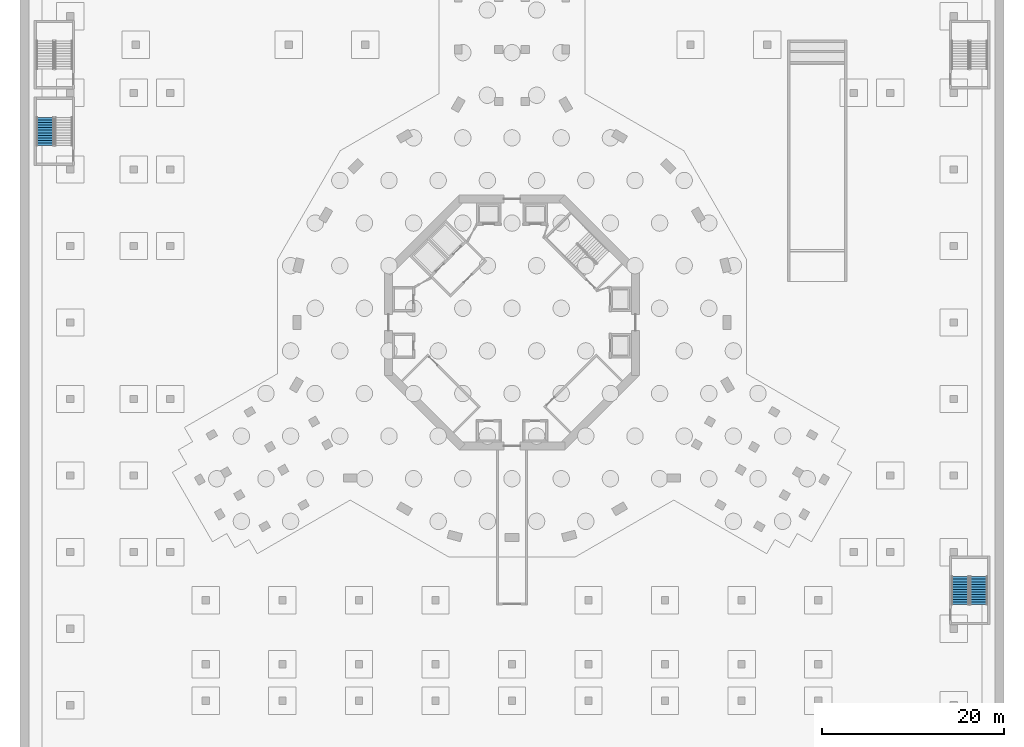
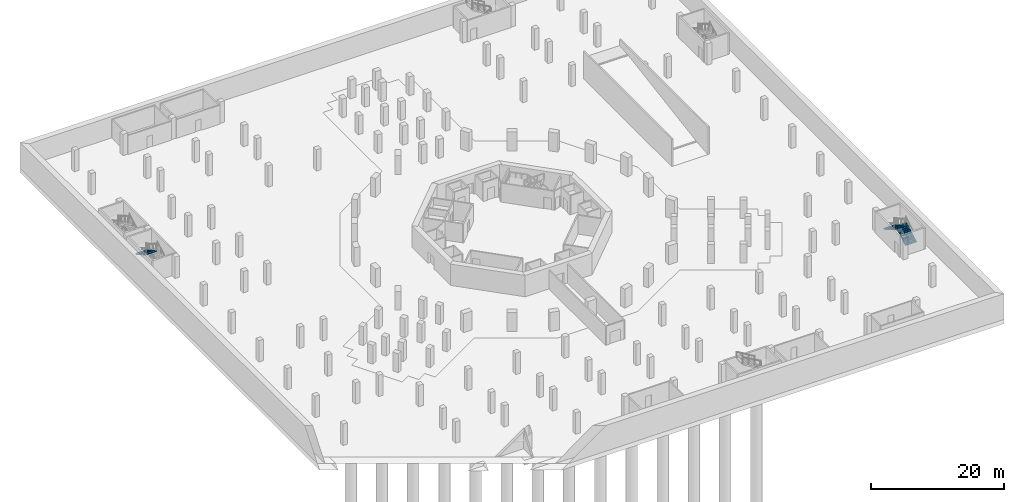
# One storey, part 16 of 27: 3 stair flights, 2 elements without a shape of their own.
"""IFC4 building model written with IfcOpenShell, lengths in metres."""

from ifc_helpers import new_model, si_unit, direction, frame, origin, place, context, subcontext, project, spatial, triangles, material, type_object, element, aggregate, save


model = new_model("IFC4")

# Units and contexts
model_context = context("Model", 3, precision=1e-05, world=origin(), true_north=direction((0.0, 1.0)))
body_context = subcontext(model_context, "Body", "Model", "MODEL_VIEW")
ifc_project = project(units=[si_unit("LENGTHUNIT", "METRE"), si_unit("AREAUNIT", "SQUARE_METRE"), si_unit("VOLUMEUNIT", "CUBIC_METRE"), si_unit("PLANEANGLEUNIT", "RADIAN"), si_unit("MASSUNIT", "GRAM", prefix="KILO")], contexts=[model_context])

# Site, building, storey
site_placement = place(None, origin())
site = spatial("IfcSite", under=ifc_project, at=site_placement, CompositionType="ELEMENT")
building_placement = place(site_placement, origin())
building = spatial("IfcBuilding", under=site, at=building_placement, Name="Verdalira Terraces Hotel", CompositionType="ELEMENT")
storey_placement = place(building_placement, frame((0.0, 0.0, -11.699951)))
storey = spatial("IfcBuildingStorey", under=building, at=storey_placement, Name="B3", CompositionType="ELEMENT", Elevation=-11.699951171875)

# Stair, stair flights
ifc_material_1 = material(Name="Concrete C40", Category="concrete")
stair_type = type_object("IfcStairType", Name="Car park stair 24 risers", PredefinedType="HALF_TURN_STAIR", material=ifc_material_1)
stair_1_placement = place(storey_placement, origin())
stair_1 = element("IfcStair", 1, at=stair_1_placement, inside=storey, type_object=stair_type, Name="B3 Exit stair Basement stair 2", PredefinedType="HALF_TURN_STAIR")
ifc_material_2 = material(Name="Concrete C40", Category="concrete")
stair_flight_type = type_object("IfcStairFlightType", Name="Car park stair flight 24 risers", PredefinedType="STRAIGHT", material=ifc_material_2)
stair_flight_1_placement = place(storey_placement, frame((51.237549, -30.975098, 0.0), z_axis=(0.0, 0.0, 1.0), x_axis=(0.0, 1.0, 0.0)))
stair_flight_1 = element("IfcStairFlight", 2, at=stair_flight_1_placement, type_object=stair_flight_type, Name="Basement stair 2 flight 1", NumberOfRisers=12, NumberOfTreads=11, PredefinedType="STRAIGHT", RiserHeight=0.1625, TreadLength=0.28, context=body_context, shape_type="Tessellation", body=[
    triangles([(0.0, 0.962524, 0.0), (0.298584, 0.962524, 0.0), (3.080078, 0.962524, 1.614258), (0.0, -0.962524, 0.0), (0.298584, -0.962524, 0.0), (3.080078, -0.962524, 1.614258), (3.080078, 0.962524, 1.787598), (2.800049, 0.962524, 1.787598), (3.080078, -0.962524, 1.787598), (2.800049, -0.962524, 1.787598), (2.800049, 0.962524, 1.625), (2.800049, -0.962524, 1.625), (2.52002, 0.962524, 1.625), (2.52002, -0.962524, 1.625), (2.52002, 0.962524, 1.462402), (2.52002, -0.962524, 1.462402), (2.23999, 0.962524, 1.462402), (2.23999, 0.962524, 1.300049), (2.23999, -0.962524, 1.462402), (2.23999, -0.962524, 1.300049), (1.959961, 0.962524, 1.300049), (1.959961, 0.962524, 1.137451), (1.959961, -0.962524, 1.300049), (1.959961, -0.962524, 1.137451), (1.679932, 0.962524, 1.137451), (1.679932, 0.962524, 0.975098), (1.679932, -0.962524, 1.137451), (1.679932, -0.962524, 0.975098), (1.399902, 0.962524, 0.975098), (1.399902, 0.962524, 0.8125), (1.399902, -0.962524, 0.975098), (1.399902, -0.962524, 0.8125), (1.120117, 0.962524, 0.8125), (1.120117, 0.962524, 0.649902), (1.120117, -0.962524, 0.8125), (1.120117, -0.962524, 0.649902), (0.840088, 0.962524, 0.649902), (0.840088, 0.962524, 0.487549), (0.840088, -0.962524, 0.649902), (0.840088, -0.962524, 0.487549), (0.560059, 0.962524, 0.487549), (0.560059, 0.962524, 0.324951), (0.560059, -0.962524, 0.487549), (0.560059, -0.962524, 0.324951), (0.280029, 0.962524, 0.324951), (0.280029, 0.962524, 0.162598), (0.280029, -0.962524, 0.324951), (0.280029, -0.962524, 0.162598), (0.0, 0.962524, 0.162598), (0.0, -0.962524, 0.162598), (0.0, -0.902367, 0.0), (0.0, -0.902367, 0.162598), (0.0, -0.842209, 0.0), (0.0, -0.842209, 0.162598), (0.0, -0.782051, 0.0), (0.0, -0.782051, 0.162598), (0.0, -0.721893, 0.0), (0.0, -0.721893, 0.162598), (0.0, -0.661736, 0.0), (0.0, -0.661736, 0.162598), (0.0, -0.601578, 0.0), (0.0, -0.601578, 0.162598), (0.0, -0.54142, 0.0), (0.0, -0.54142, 0.162598), (0.0, -0.481262, 0.0), (0.0, -0.481262, 0.162598), (0.0, -0.421104, 0.0), (0.0, -0.421104, 0.162598), (0.0, -0.360947, 0.0), (0.0, -0.360947, 0.162598), (0.0, -0.300789, 0.0), (0.0, -0.300789, 0.162598), (0.0, -0.240631, 0.0), (0.0, -0.240631, 0.162598), (0.0, -0.180473, 0.0), (0.0, -0.180473, 0.162598), (0.0, -0.120316, 0.0), (0.0, -0.120316, 0.162598), (0.0, -0.060158, 0.0), (0.0, -0.060158, 0.162598), (0.0, 0.0, 0.0), (0.0, 0.0, 0.162598), (0.0, 0.060158, 0.0), (0.0, 0.060158, 0.162598), (0.0, 0.120316, 0.0), (0.0, 0.120316, 0.162598), (0.0, 0.180473, 0.0), (0.0, 0.180473, 0.162598), (0.0, 0.240631, 0.0), (0.0, 0.240631, 0.162598), (0.0, 0.300789, 0.0), (0.0, 0.300789, 0.162598), (0.0, 0.360947, 0.0), (0.0, 0.360947, 0.162598), (0.0, 0.421104, 0.0), (0.0, 0.421104, 0.162598), (0.0, 0.481262, 0.0), (0.0, 0.481262, 0.162598), (0.0, 0.54142, 0.0), (0.0, 0.54142, 0.162598), (0.0, 0.601578, 0.0), (0.0, 0.601578, 0.162598), (0.0, 0.661736, 0.0), (0.0, 0.661736, 0.162598), (0.0, 0.721893, 0.0), (0.0, 0.721893, 0.162598), (0.0, 0.782051, 0.0), (0.0, 0.782051, 0.162598), (0.0, 0.842209, 0.0), (0.0, 0.842209, 0.162598), (0.0, 0.902367, 0.0), (0.0, 0.902367, 0.162598), (3.080078, -0.902367, 1.787598), (3.080078, -0.842209, 1.787598), (3.080078, -0.782051, 1.787598), (3.080078, -0.721893, 1.787598), (3.080078, -0.661736, 1.787598), (3.080078, -0.601578, 1.787598), (3.080078, -0.54142, 1.787598), (3.080078, -0.481262, 1.787598), (3.080078, -0.421104, 1.787598), (3.080078, -0.360947, 1.787598), (3.080078, -0.300789, 1.787598), (3.080078, -0.240631, 1.787598), (3.080078, -0.180473, 1.787598), (3.080078, -0.120316, 1.787598), (3.080078, -0.060158, 1.787598), (3.080078, 0.0, 1.787598), (3.080078, 0.060158, 1.787598), (3.080078, 0.120316, 1.787598), (3.080078, 0.180473, 1.787598), (3.080078, 0.240631, 1.787598), (3.080078, 0.300789, 1.787598), (3.080078, 0.360947, 1.787598), (3.080078, 0.421104, 1.787598), (3.080078, 0.481262, 1.787598), (3.080078, 0.54142, 1.787598), (3.080078, 0.601578, 1.787598), (3.080078, 0.661736, 1.787598), (3.080078, 0.721893, 1.787598), (3.080078, 0.782051, 1.787598), (3.080078, 0.842209, 1.787598), (3.080078, 0.902367, 1.787598), (3.080078, -0.902367, 1.614258), (3.080078, -0.842209, 1.614258), (3.080078, -0.782051, 1.614258), (3.080078, -0.721893, 1.614258), (3.080078, -0.661736, 1.614258), (3.080078, -0.601578, 1.614258), (3.080078, -0.54142, 1.614258), (3.080078, -0.481262, 1.614258), (3.080078, -0.421104, 1.614258), (3.080078, -0.360947, 1.614258), (3.080078, -0.300789, 1.614258), (3.080078, -0.240631, 1.614258), (3.080078, -0.180473, 1.614258), (3.080078, -0.120316, 1.614258), (3.080078, -0.060158, 1.614258), (3.080078, 0.0, 1.614258), (3.080078, 0.060158, 1.614258), (3.080078, 0.120316, 1.614258), (3.080078, 0.180473, 1.614258), (3.080078, 0.240631, 1.614258), (3.080078, 0.300789, 1.614258), (3.080078, 0.360947, 1.614258), (3.080078, 0.421104, 1.614258), (3.080078, 0.481262, 1.614258), (3.080078, 0.54142, 1.614258), (3.080078, 0.601578, 1.614258), (3.080078, 0.661736, 1.614258), (3.080078, 0.721893, 1.614258), (3.080078, 0.782051, 1.614258), (3.080078, 0.842209, 1.614258), (3.080078, 0.902367, 1.614258)], [[1, 3, 2], [4, 5, 6], [3, 8, 7], [6, 9, 10], [3, 11, 8], [6, 10, 12], [3, 13, 11], [6, 12, 14], [3, 15, 13], [6, 14, 16], [15, 18, 17], [16, 19, 20], [3, 18, 15], [6, 16, 20], [18, 22, 21], [20, 23, 24], [3, 22, 18], [6, 20, 24], [22, 26, 25], [24, 27, 28], [3, 26, 22], [6, 24, 28], [26, 30, 29], [28, 31, 32], [3, 30, 26], [6, 28, 32], [30, 34, 33], [32, 35, 36], [3, 34, 30], [6, 32, 36], [34, 38, 37], [36, 39, 40], [3, 38, 34], [6, 36, 40], [38, 42, 41], [40, 43, 44], [3, 42, 38], [6, 40, 44], [1, 42, 3], [4, 6, 44], [42, 46, 45], [44, 47, 48], [1, 46, 42], [4, 44, 48], [46, 1, 49], [48, 50, 4], [4, 52, 51], [4, 50, 52], [51, 54, 53], [51, 52, 54], [53, 56, 55], [53, 54, 56], [55, 58, 57], [55, 56, 58], [57, 60, 59], [57, 58, 60], [59, 62, 61], [59, 60, 62], [61, 64, 63], [61, 62, 64], [63, 66, 65], [63, 64, 66], [65, 68, 67], [65, 66, 68], [67, 70, 69], [67, 68, 70], [69, 72, 71], [69, 70, 72], [71, 74, 73], [71, 72, 74], [73, 76, 75], [73, 74, 76], [75, 78, 77], [75, 76, 78], [77, 80, 79], [77, 78, 80], [79, 82, 81], [79, 80, 82], [81, 84, 83], [81, 82, 84], [83, 86, 85], [83, 84, 86], [85, 88, 87], [85, 86, 88], [87, 90, 89], [87, 88, 90], [89, 92, 91], [89, 90, 92], [91, 94, 93], [91, 92, 94], [93, 96, 95], [93, 94, 96], [95, 98, 97], [95, 96, 98], [97, 100, 99], [97, 98, 100], [99, 102, 101], [99, 100, 102], [101, 104, 103], [101, 102, 104], [103, 106, 105], [103, 104, 106], [105, 108, 107], [105, 106, 108], [107, 110, 109], [107, 108, 110], [109, 112, 111], [109, 110, 112], [111, 49, 1], [111, 112, 49], [50, 48, 52], [52, 48, 54], [54, 48, 56], [56, 48, 58], [58, 48, 60], [60, 48, 62], [62, 48, 64], [64, 48, 66], [66, 48, 68], [68, 48, 70], [70, 48, 72], [72, 48, 74], [74, 48, 76], [76, 48, 78], [78, 48, 80], [80, 48, 82], [82, 48, 84], [84, 48, 86], [86, 48, 88], [88, 48, 90], [90, 48, 92], [92, 48, 94], [94, 48, 96], [96, 48, 98], [98, 48, 100], [100, 48, 102], [102, 48, 104], [104, 48, 106], [106, 48, 108], [108, 48, 110], [110, 48, 112], [112, 48, 49], [49, 48, 46], [48, 45, 46], [48, 47, 45], [47, 42, 45], [47, 44, 42], [44, 41, 42], [44, 43, 41], [43, 38, 41], [43, 40, 38], [40, 37, 38], [40, 39, 37], [39, 34, 37], [39, 36, 34], [36, 33, 34], [36, 35, 33], [35, 30, 33], [35, 32, 30], [32, 29, 30], [32, 31, 29], [31, 26, 29], [31, 28, 26], [28, 25, 26], [28, 27, 25], [27, 22, 25], [27, 24, 22], [24, 21, 22], [24, 23, 21], [23, 18, 21], [23, 20, 18], [20, 17, 18], [20, 19, 17], [19, 15, 17], [19, 16, 15], [16, 13, 15], [16, 14, 13], [14, 11, 13], [14, 12, 11], [12, 8, 11], [12, 10, 8], [9, 113, 10], [113, 114, 10], [114, 115, 10], [115, 116, 10], [116, 117, 10], [117, 118, 10], [118, 119, 10], [119, 120, 10], [120, 121, 10], [121, 122, 10], [122, 123, 10], [123, 124, 10], [124, 125, 10], [125, 126, 10], [126, 127, 10], [127, 128, 10], [128, 129, 10], [129, 130, 10], [130, 131, 10], [131, 132, 10], [132, 133, 10], [133, 134, 10], [134, 135, 10], [135, 136, 10], [136, 137, 10], [137, 138, 10], [138, 139, 10], [139, 140, 10], [140, 141, 10], [141, 142, 10], [142, 143, 10], [143, 7, 10], [7, 8, 10], [9, 144, 113], [9, 6, 144], [113, 145, 114], [113, 144, 145], [114, 146, 115], [114, 145, 146], [115, 147, 116], [115, 146, 147], [116, 148, 117], [116, 147, 148], [117, 149, 118], [117, 148, 149], [118, 150, 119], [118, 149, 150], [119, 151, 120], [119, 150, 151], [120, 152, 121], [120, 151, 152], [121, 153, 122], [121, 152, 153], [122, 154, 123], [122, 153, 154], [123, 155, 124], [123, 154, 155], [124, 156, 125], [124, 155, 156], [125, 157, 126], [125, 156, 157], [126, 158, 127], [126, 157, 158], [127, 159, 128], [127, 158, 159], [128, 160, 129], [128, 159, 160], [129, 161, 130], [129, 160, 161], [130, 162, 131], [130, 161, 162], [131, 163, 132], [131, 162, 163], [132, 164, 133], [132, 163, 164], [133, 165, 134], [133, 164, 165], [134, 166, 135], [134, 165, 166], [135, 167, 136], [135, 166, 167], [136, 168, 137], [136, 167, 168], [137, 169, 138], [137, 168, 169], [138, 170, 139], [138, 169, 170], [139, 171, 140], [139, 170, 171], [140, 172, 141], [140, 171, 172], [141, 173, 142], [141, 172, 173], [142, 174, 143], [142, 173, 174], [143, 3, 7], [143, 174, 3], [6, 5, 144], [144, 5, 145], [145, 5, 146], [146, 5, 147], [147, 5, 148], [148, 5, 149], [149, 5, 150], [150, 5, 151], [151, 5, 152], [152, 5, 153], [153, 5, 154], [154, 5, 155], [155, 5, 156], [156, 5, 157], [157, 5, 158], [158, 5, 159], [159, 5, 160], [160, 5, 161], [161, 5, 162], [162, 5, 163], [163, 5, 164], [164, 5, 165], [165, 5, 166], [166, 5, 167], [167, 5, 168], [168, 5, 169], [169, 5, 170], [170, 5, 171], [171, 5, 172], [172, 5, 173], [173, 5, 174], [174, 5, 3], [3, 5, 2], [4, 51, 5], [51, 53, 5], [53, 55, 5], [55, 57, 5], [57, 59, 5], [59, 61, 5], [61, 63, 5], [63, 65, 5], [65, 67, 5], [67, 69, 5], [69, 71, 5], [71, 73, 5], [73, 75, 5], [75, 77, 5], [77, 79, 5], [79, 81, 5], [81, 83, 5], [83, 85, 5], [85, 87, 5], [87, 89, 5], [89, 91, 5], [91, 93, 5], [93, 95, 5], [95, 97, 5], [97, 99, 5], [99, 101, 5], [101, 103, 5], [103, 105, 5], [105, 107, 5], [107, 109, 5], [109, 111, 5], [111, 1, 5], [1, 2, 5]], closed=True),
])
stair_flight_2_placement = place(storey_placement, frame((49.212402, -27.89502, 1.949951), z_axis=(0.0, 0.0, 1.0), x_axis=(0.0, -1.0, 0.0)))
stair_flight_2 = element("IfcStairFlight", 3, at=stair_flight_2_placement, type_object=stair_flight_type, Name="Basement stair 2 flight 2", NumberOfRisers=12, NumberOfTreads=11, PredefinedType="STRAIGHT", RiserHeight=0.1625, TreadLength=0.28, context=body_context, shape_type="Tessellation", body=[
    triangles([(0.0, 0.962524, 0.0), (0.298584, 0.962524, 0.0), (3.080078, 0.962524, 1.614258), (0.0, -0.962524, 0.0), (0.298584, -0.962524, 0.0), (3.080078, -0.962524, 1.614258), (3.080078, 0.962524, 1.787598), (2.800049, 0.962524, 1.787598), (3.080078, -0.962524, 1.787598), (2.800049, -0.962524, 1.787598), (2.800049, 0.962524, 1.625), (2.800049, -0.962524, 1.625), (2.52002, 0.962524, 1.625), (2.52002, -0.962524, 1.625), (2.52002, 0.962524, 1.462402), (2.52002, -0.962524, 1.462402), (2.23999, 0.962524, 1.462402), (2.23999, 0.962524, 1.300049), (2.23999, -0.962524, 1.462402), (2.23999, -0.962524, 1.300049), (1.959961, 0.962524, 1.300049), (1.959961, 0.962524, 1.137451), (1.959961, -0.962524, 1.300049), (1.959961, -0.962524, 1.137451), (1.679932, 0.962524, 1.137451), (1.679932, 0.962524, 0.975098), (1.679932, -0.962524, 1.137451), (1.679932, -0.962524, 0.975098), (1.399902, 0.962524, 0.975098), (1.399902, 0.962524, 0.8125), (1.399902, -0.962524, 0.975098), (1.399902, -0.962524, 0.8125), (1.120117, 0.962524, 0.8125), (1.120117, 0.962524, 0.649902), (1.120117, -0.962524, 0.8125), (1.120117, -0.962524, 0.649902), (0.840088, 0.962524, 0.649902), (0.840088, 0.962524, 0.487549), (0.840088, -0.962524, 0.649902), (0.840088, -0.962524, 0.487549), (0.560059, 0.962524, 0.487549), (0.560059, 0.962524, 0.324951), (0.560059, -0.962524, 0.487549), (0.560059, -0.962524, 0.324951), (0.280029, 0.962524, 0.324951), (0.280029, 0.962524, 0.162598), (0.280029, -0.962524, 0.324951), (0.280029, -0.962524, 0.162598), (0.0, 0.962524, 0.162598), (0.0, -0.962524, 0.162598), (0.0, -0.902367, 0.0), (0.0, -0.902367, 0.162598), (0.0, -0.842209, 0.0), (0.0, -0.842209, 0.162598), (0.0, -0.782051, 0.0), (0.0, -0.782051, 0.162598), (0.0, -0.721893, 0.0), (0.0, -0.721893, 0.162598), (0.0, -0.661736, 0.0), (0.0, -0.661736, 0.162598), (0.0, -0.601578, 0.0), (0.0, -0.601578, 0.162598), (0.0, -0.54142, 0.0), (0.0, -0.54142, 0.162598), (0.0, -0.481262, 0.0), (0.0, -0.481262, 0.162598), (0.0, -0.421104, 0.0), (0.0, -0.421104, 0.162598), (0.0, -0.360947, 0.0), (0.0, -0.360947, 0.162598), (0.0, -0.300789, 0.0), (0.0, -0.300789, 0.162598), (0.0, -0.240631, 0.0), (0.0, -0.240631, 0.162598), (0.0, -0.180473, 0.0), (0.0, -0.180473, 0.162598), (0.0, -0.120316, 0.0), (0.0, -0.120316, 0.162598), (0.0, -0.060158, 0.0), (0.0, -0.060158, 0.162598), (0.0, 0.0, 0.0), (0.0, 0.0, 0.162598), (0.0, 0.060158, 0.0), (0.0, 0.060158, 0.162598), (0.0, 0.120316, 0.0), (0.0, 0.120316, 0.162598), (0.0, 0.180473, 0.0), (0.0, 0.180473, 0.162598), (0.0, 0.240631, 0.0), (0.0, 0.240631, 0.162598), (0.0, 0.300789, 0.0), (0.0, 0.300789, 0.162598), (0.0, 0.360947, 0.0), (0.0, 0.360947, 0.162598), (0.0, 0.421104, 0.0), (0.0, 0.421104, 0.162598), (0.0, 0.481262, 0.0), (0.0, 0.481262, 0.162598), (0.0, 0.54142, 0.0), (0.0, 0.54142, 0.162598), (0.0, 0.601578, 0.0), (0.0, 0.601578, 0.162598), (0.0, 0.661736, 0.0), (0.0, 0.661736, 0.162598), (0.0, 0.721893, 0.0), (0.0, 0.721893, 0.162598), (0.0, 0.782051, 0.0), (0.0, 0.782051, 0.162598), (0.0, 0.842209, 0.0), (0.0, 0.842209, 0.162598), (0.0, 0.902367, 0.0), (0.0, 0.902367, 0.162598), (3.080078, -0.902367, 1.787598), (3.080078, -0.842209, 1.787598), (3.080078, -0.782051, 1.787598), (3.080078, -0.721893, 1.787598), (3.080078, -0.661736, 1.787598), (3.080078, -0.601578, 1.787598), (3.080078, -0.54142, 1.787598), (3.080078, -0.481262, 1.787598), (3.080078, -0.421104, 1.787598), (3.080078, -0.360947, 1.787598), (3.080078, -0.300789, 1.787598), (3.080078, -0.240631, 1.787598), (3.080078, -0.180473, 1.787598), (3.080078, -0.120316, 1.787598), (3.080078, -0.060158, 1.787598), (3.080078, 0.0, 1.787598), (3.080078, 0.060158, 1.787598), (3.080078, 0.120316, 1.787598), (3.080078, 0.180473, 1.787598), (3.080078, 0.240631, 1.787598), (3.080078, 0.300789, 1.787598), (3.080078, 0.360947, 1.787598), (3.080078, 0.421104, 1.787598), (3.080078, 0.481262, 1.787598), (3.080078, 0.54142, 1.787598), (3.080078, 0.601578, 1.787598), (3.080078, 0.661736, 1.787598), (3.080078, 0.721893, 1.787598), (3.080078, 0.782051, 1.787598), (3.080078, 0.842209, 1.787598), (3.080078, 0.902367, 1.787598), (3.080078, -0.902367, 1.614258), (3.080078, -0.842209, 1.614258), (3.080078, -0.782051, 1.614258), (3.080078, -0.721893, 1.614258), (3.080078, -0.661736, 1.614258), (3.080078, -0.601578, 1.614258), (3.080078, -0.54142, 1.614258), (3.080078, -0.481262, 1.614258), (3.080078, -0.421104, 1.614258), (3.080078, -0.360947, 1.614258), (3.080078, -0.300789, 1.614258), (3.080078, -0.240631, 1.614258), (3.080078, -0.180473, 1.614258), (3.080078, -0.120316, 1.614258), (3.080078, -0.060158, 1.614258), (3.080078, 0.0, 1.614258), (3.080078, 0.060158, 1.614258), (3.080078, 0.120316, 1.614258), (3.080078, 0.180473, 1.614258), (3.080078, 0.240631, 1.614258), (3.080078, 0.300789, 1.614258), (3.080078, 0.360947, 1.614258), (3.080078, 0.421104, 1.614258), (3.080078, 0.481262, 1.614258), (3.080078, 0.54142, 1.614258), (3.080078, 0.601578, 1.614258), (3.080078, 0.661736, 1.614258), (3.080078, 0.721893, 1.614258), (3.080078, 0.782051, 1.614258), (3.080078, 0.842209, 1.614258), (3.080078, 0.902367, 1.614258)], [[1, 3, 2], [4, 5, 6], [3, 8, 7], [6, 9, 10], [3, 11, 8], [6, 10, 12], [3, 13, 11], [6, 12, 14], [3, 15, 13], [6, 14, 16], [15, 18, 17], [16, 19, 20], [3, 18, 15], [6, 16, 20], [18, 22, 21], [20, 23, 24], [3, 22, 18], [6, 20, 24], [22, 26, 25], [24, 27, 28], [3, 26, 22], [6, 24, 28], [26, 30, 29], [28, 31, 32], [3, 30, 26], [6, 28, 32], [30, 34, 33], [32, 35, 36], [3, 34, 30], [6, 32, 36], [34, 38, 37], [36, 39, 40], [3, 38, 34], [6, 36, 40], [38, 42, 41], [40, 43, 44], [3, 42, 38], [6, 40, 44], [1, 42, 3], [4, 6, 44], [42, 46, 45], [44, 47, 48], [1, 46, 42], [4, 44, 48], [46, 1, 49], [48, 50, 4], [4, 52, 51], [4, 50, 52], [51, 54, 53], [51, 52, 54], [53, 56, 55], [53, 54, 56], [55, 58, 57], [55, 56, 58], [57, 60, 59], [57, 58, 60], [59, 62, 61], [59, 60, 62], [61, 64, 63], [61, 62, 64], [63, 66, 65], [63, 64, 66], [65, 68, 67], [65, 66, 68], [67, 70, 69], [67, 68, 70], [69, 72, 71], [69, 70, 72], [71, 74, 73], [71, 72, 74], [73, 76, 75], [73, 74, 76], [75, 78, 77], [75, 76, 78], [77, 80, 79], [77, 78, 80], [79, 82, 81], [79, 80, 82], [81, 84, 83], [81, 82, 84], [83, 86, 85], [83, 84, 86], [85, 88, 87], [85, 86, 88], [87, 90, 89], [87, 88, 90], [89, 92, 91], [89, 90, 92], [91, 94, 93], [91, 92, 94], [93, 96, 95], [93, 94, 96], [95, 98, 97], [95, 96, 98], [97, 100, 99], [97, 98, 100], [99, 102, 101], [99, 100, 102], [101, 104, 103], [101, 102, 104], [103, 106, 105], [103, 104, 106], [105, 108, 107], [105, 106, 108], [107, 110, 109], [107, 108, 110], [109, 112, 111], [109, 110, 112], [111, 49, 1], [111, 112, 49], [50, 48, 52], [52, 48, 54], [54, 48, 56], [56, 48, 58], [58, 48, 60], [60, 48, 62], [62, 48, 64], [64, 48, 66], [66, 48, 68], [68, 48, 70], [70, 48, 72], [72, 48, 74], [74, 48, 76], [76, 48, 78], [78, 48, 80], [80, 48, 82], [82, 48, 84], [84, 48, 86], [86, 48, 88], [88, 48, 90], [90, 48, 92], [92, 48, 94], [94, 48, 96], [96, 48, 98], [98, 48, 100], [100, 48, 102], [102, 48, 104], [104, 48, 106], [106, 48, 108], [108, 48, 110], [110, 48, 112], [112, 48, 49], [49, 48, 46], [48, 45, 46], [48, 47, 45], [47, 42, 45], [47, 44, 42], [44, 41, 42], [44, 43, 41], [43, 38, 41], [43, 40, 38], [40, 37, 38], [40, 39, 37], [39, 34, 37], [39, 36, 34], [36, 33, 34], [36, 35, 33], [35, 30, 33], [35, 32, 30], [32, 29, 30], [32, 31, 29], [31, 26, 29], [31, 28, 26], [28, 25, 26], [28, 27, 25], [27, 22, 25], [27, 24, 22], [24, 21, 22], [24, 23, 21], [23, 18, 21], [23, 20, 18], [20, 17, 18], [20, 19, 17], [19, 15, 17], [19, 16, 15], [16, 13, 15], [16, 14, 13], [14, 11, 13], [14, 12, 11], [12, 8, 11], [12, 10, 8], [9, 113, 10], [113, 114, 10], [114, 115, 10], [115, 116, 10], [116, 117, 10], [117, 118, 10], [118, 119, 10], [119, 120, 10], [120, 121, 10], [121, 122, 10], [122, 123, 10], [123, 124, 10], [124, 125, 10], [125, 126, 10], [126, 127, 10], [127, 128, 10], [128, 129, 10], [129, 130, 10], [130, 131, 10], [131, 132, 10], [132, 133, 10], [133, 134, 10], [134, 135, 10], [135, 136, 10], [136, 137, 10], [137, 138, 10], [138, 139, 10], [139, 140, 10], [140, 141, 10], [141, 142, 10], [142, 143, 10], [143, 7, 10], [7, 8, 10], [9, 144, 113], [9, 6, 144], [113, 145, 114], [113, 144, 145], [114, 146, 115], [114, 145, 146], [115, 147, 116], [115, 146, 147], [116, 148, 117], [116, 147, 148], [117, 149, 118], [117, 148, 149], [118, 150, 119], [118, 149, 150], [119, 151, 120], [119, 150, 151], [120, 152, 121], [120, 151, 152], [121, 153, 122], [121, 152, 153], [122, 154, 123], [122, 153, 154], [123, 155, 124], [123, 154, 155], [124, 156, 125], [124, 155, 156], [125, 157, 126], [125, 156, 157], [126, 158, 127], [126, 157, 158], [127, 159, 128], [127, 158, 159], [128, 160, 129], [128, 159, 160], [129, 161, 130], [129, 160, 161], [130, 162, 131], [130, 161, 162], [131, 163, 132], [131, 162, 163], [132, 164, 133], [132, 163, 164], [133, 165, 134], [133, 164, 165], [134, 166, 135], [134, 165, 166], [135, 167, 136], [135, 166, 167], [136, 168, 137], [136, 167, 168], [137, 169, 138], [137, 168, 169], [138, 170, 139], [138, 169, 170], [139, 171, 140], [139, 170, 171], [140, 172, 141], [140, 171, 172], [141, 173, 142], [141, 172, 173], [142, 174, 143], [142, 173, 174], [143, 3, 7], [143, 174, 3], [6, 5, 144], [144, 5, 145], [145, 5, 146], [146, 5, 147], [147, 5, 148], [148, 5, 149], [149, 5, 150], [150, 5, 151], [151, 5, 152], [152, 5, 153], [153, 5, 154], [154, 5, 155], [155, 5, 156], [156, 5, 157], [157, 5, 158], [158, 5, 159], [159, 5, 160], [160, 5, 161], [161, 5, 162], [162, 5, 163], [163, 5, 164], [164, 5, 165], [165, 5, 166], [166, 5, 167], [167, 5, 168], [168, 5, 169], [169, 5, 170], [170, 5, 171], [171, 5, 172], [172, 5, 173], [173, 5, 174], [174, 5, 3], [3, 5, 2], [4, 51, 5], [51, 53, 5], [53, 55, 5], [55, 57, 5], [57, 59, 5], [59, 61, 5], [61, 63, 5], [63, 65, 5], [65, 67, 5], [67, 69, 5], [69, 71, 5], [71, 73, 5], [73, 75, 5], [75, 77, 5], [77, 79, 5], [79, 81, 5], [81, 83, 5], [83, 85, 5], [85, 87, 5], [87, 89, 5], [89, 91, 5], [91, 93, 5], [93, 95, 5], [95, 97, 5], [97, 99, 5], [99, 101, 5], [101, 103, 5], [103, 105, 5], [105, 107, 5], [107, 109, 5], [109, 111, 5], [111, 1, 5], [1, 2, 5]], closed=True),
])
aggregate(stair_1, [stair_flight_1, stair_flight_2])

# Stair, stair flight
stair_2_placement = place(storey_placement, origin())
stair_2 = element("IfcStair", 4, at=stair_2_placement, inside=storey, type_object=stair_type, Name="B3 Exit stair Basement stair 7", PredefinedType="HALF_TURN_STAIR")
stair_flight_3_placement = place(storey_placement, frame((-51.237549, 22.504883, 1.949951), z_axis=(0.0, 0.0, 1.0), x_axis=(0.0, -1.0, 0.0)))
stair_flight_3 = element("IfcStairFlight", 5, at=stair_flight_3_placement, type_object=stair_flight_type, Name="Basement stair 7 flight 2", NumberOfRisers=12, NumberOfTreads=11, PredefinedType="STRAIGHT", RiserHeight=0.1625, TreadLength=0.28, context=body_context, shape_type="Tessellation", body=[
    triangles([(0.0, 0.962524, 0.0), (0.298584, 0.962524, 0.0), (3.080078, 0.962524, 1.614258), (0.0, -0.962524, 0.0), (0.298584, -0.962524, 0.0), (3.080078, -0.962524, 1.614258), (3.080078, 0.962524, 1.787598), (2.800049, 0.962524, 1.787598), (3.080078, -0.962524, 1.787598), (2.800049, -0.962524, 1.787598), (2.800049, 0.962524, 1.625), (2.800049, -0.962524, 1.625), (2.52002, 0.962524, 1.625), (2.52002, -0.962524, 1.625), (2.52002, 0.962524, 1.462402), (2.52002, -0.962524, 1.462402), (2.23999, 0.962524, 1.462402), (2.23999, 0.962524, 1.300049), (2.23999, -0.962524, 1.462402), (2.23999, -0.962524, 1.300049), (1.959961, 0.962524, 1.300049), (1.959961, 0.962524, 1.137451), (1.959961, -0.962524, 1.300049), (1.959961, -0.962524, 1.137451), (1.679932, 0.962524, 1.137451), (1.679932, 0.962524, 0.975098), (1.679932, -0.962524, 1.137451), (1.679932, -0.962524, 0.975098), (1.399902, 0.962524, 0.975098), (1.399902, 0.962524, 0.8125), (1.399902, -0.962524, 0.975098), (1.399902, -0.962524, 0.8125), (1.120117, 0.962524, 0.8125), (1.120117, 0.962524, 0.649902), (1.120117, -0.962524, 0.8125), (1.120117, -0.962524, 0.649902), (0.840088, 0.962524, 0.649902), (0.840088, 0.962524, 0.487549), (0.840088, -0.962524, 0.649902), (0.840088, -0.962524, 0.487549), (0.560059, 0.962524, 0.487549), (0.560059, 0.962524, 0.324951), (0.560059, -0.962524, 0.487549), (0.560059, -0.962524, 0.324951), (0.280029, 0.962524, 0.324951), (0.280029, 0.962524, 0.162598), (0.280029, -0.962524, 0.324951), (0.280029, -0.962524, 0.162598), (0.0, 0.962524, 0.162598), (0.0, -0.962524, 0.162598), (0.0, -0.902367, 0.0), (0.0, -0.902367, 0.162598), (0.0, -0.842209, 0.0), (0.0, -0.842209, 0.162598), (0.0, -0.782051, 0.0), (0.0, -0.782051, 0.162598), (0.0, -0.721893, 0.0), (0.0, -0.721893, 0.162598), (0.0, -0.661736, 0.0), (0.0, -0.661736, 0.162598), (0.0, -0.601578, 0.0), (0.0, -0.601578, 0.162598), (0.0, -0.54142, 0.0), (0.0, -0.54142, 0.162598), (0.0, -0.481262, 0.0), (0.0, -0.481262, 0.162598), (0.0, -0.421104, 0.0), (0.0, -0.421104, 0.162598), (0.0, -0.360947, 0.0), (0.0, -0.360947, 0.162598), (0.0, -0.300789, 0.0), (0.0, -0.300789, 0.162598), (0.0, -0.240631, 0.0), (0.0, -0.240631, 0.162598), (0.0, -0.180473, 0.0), (0.0, -0.180473, 0.162598), (0.0, -0.120316, 0.0), (0.0, -0.120316, 0.162598), (0.0, -0.060158, 0.0), (0.0, -0.060158, 0.162598), (0.0, 0.0, 0.0), (0.0, 0.0, 0.162598), (0.0, 0.060158, 0.0), (0.0, 0.060158, 0.162598), (0.0, 0.120316, 0.0), (0.0, 0.120316, 0.162598), (0.0, 0.180473, 0.0), (0.0, 0.180473, 0.162598), (0.0, 0.240631, 0.0), (0.0, 0.240631, 0.162598), (0.0, 0.300789, 0.0), (0.0, 0.300789, 0.162598), (0.0, 0.360947, 0.0), (0.0, 0.360947, 0.162598), (0.0, 0.421104, 0.0), (0.0, 0.421104, 0.162598), (0.0, 0.481262, 0.0), (0.0, 0.481262, 0.162598), (0.0, 0.54142, 0.0), (0.0, 0.54142, 0.162598), (0.0, 0.601578, 0.0), (0.0, 0.601578, 0.162598), (0.0, 0.661736, 0.0), (0.0, 0.661736, 0.162598), (0.0, 0.721893, 0.0), (0.0, 0.721893, 0.162598), (0.0, 0.782051, 0.0), (0.0, 0.782051, 0.162598), (0.0, 0.842209, 0.0), (0.0, 0.842209, 0.162598), (0.0, 0.902367, 0.0), (0.0, 0.902367, 0.162598), (3.080078, -0.902367, 1.787598), (3.080078, -0.842209, 1.787598), (3.080078, -0.782051, 1.787598), (3.080078, -0.721893, 1.787598), (3.080078, -0.661736, 1.787598), (3.080078, -0.601578, 1.787598), (3.080078, -0.54142, 1.787598), (3.080078, -0.481262, 1.787598), (3.080078, -0.421104, 1.787598), (3.080078, -0.360947, 1.787598), (3.080078, -0.300789, 1.787598), (3.080078, -0.240631, 1.787598), (3.080078, -0.180473, 1.787598), (3.080078, -0.120316, 1.787598), (3.080078, -0.060158, 1.787598), (3.080078, 0.0, 1.787598), (3.080078, 0.060158, 1.787598), (3.080078, 0.120316, 1.787598), (3.080078, 0.180473, 1.787598), (3.080078, 0.240631, 1.787598), (3.080078, 0.300789, 1.787598), (3.080078, 0.360947, 1.787598), (3.080078, 0.421104, 1.787598), (3.080078, 0.481262, 1.787598), (3.080078, 0.54142, 1.787598), (3.080078, 0.601578, 1.787598), (3.080078, 0.661736, 1.787598), (3.080078, 0.721893, 1.787598), (3.080078, 0.782051, 1.787598), (3.080078, 0.842209, 1.787598), (3.080078, 0.902367, 1.787598), (3.080078, -0.902367, 1.614258), (3.080078, -0.842209, 1.614258), (3.080078, -0.782051, 1.614258), (3.080078, -0.721893, 1.614258), (3.080078, -0.661736, 1.614258), (3.080078, -0.601578, 1.614258), (3.080078, -0.54142, 1.614258), (3.080078, -0.481262, 1.614258), (3.080078, -0.421104, 1.614258), (3.080078, -0.360947, 1.614258), (3.080078, -0.300789, 1.614258), (3.080078, -0.240631, 1.614258), (3.080078, -0.180473, 1.614258), (3.080078, -0.120316, 1.614258), (3.080078, -0.060158, 1.614258), (3.080078, 0.0, 1.614258), (3.080078, 0.060158, 1.614258), (3.080078, 0.120316, 1.614258), (3.080078, 0.180473, 1.614258), (3.080078, 0.240631, 1.614258), (3.080078, 0.300789, 1.614258), (3.080078, 0.360947, 1.614258), (3.080078, 0.421104, 1.614258), (3.080078, 0.481262, 1.614258), (3.080078, 0.54142, 1.614258), (3.080078, 0.601578, 1.614258), (3.080078, 0.661736, 1.614258), (3.080078, 0.721893, 1.614258), (3.080078, 0.782051, 1.614258), (3.080078, 0.842209, 1.614258), (3.080078, 0.902367, 1.614258)], [[1, 3, 2], [4, 5, 6], [3, 8, 7], [6, 9, 10], [3, 11, 8], [6, 10, 12], [3, 13, 11], [6, 12, 14], [3, 15, 13], [6, 14, 16], [15, 18, 17], [16, 19, 20], [3, 18, 15], [6, 16, 20], [18, 22, 21], [20, 23, 24], [3, 22, 18], [6, 20, 24], [22, 26, 25], [24, 27, 28], [3, 26, 22], [6, 24, 28], [26, 30, 29], [28, 31, 32], [3, 30, 26], [6, 28, 32], [30, 34, 33], [32, 35, 36], [3, 34, 30], [6, 32, 36], [34, 38, 37], [36, 39, 40], [3, 38, 34], [6, 36, 40], [38, 42, 41], [40, 43, 44], [3, 42, 38], [6, 40, 44], [1, 42, 3], [4, 6, 44], [42, 46, 45], [44, 47, 48], [1, 46, 42], [4, 44, 48], [46, 1, 49], [48, 50, 4], [4, 52, 51], [4, 50, 52], [51, 54, 53], [51, 52, 54], [53, 56, 55], [53, 54, 56], [55, 58, 57], [55, 56, 58], [57, 60, 59], [57, 58, 60], [59, 62, 61], [59, 60, 62], [61, 64, 63], [61, 62, 64], [63, 66, 65], [63, 64, 66], [65, 68, 67], [65, 66, 68], [67, 70, 69], [67, 68, 70], [69, 72, 71], [69, 70, 72], [71, 74, 73], [71, 72, 74], [73, 76, 75], [73, 74, 76], [75, 78, 77], [75, 76, 78], [77, 80, 79], [77, 78, 80], [79, 82, 81], [79, 80, 82], [81, 84, 83], [81, 82, 84], [83, 86, 85], [83, 84, 86], [85, 88, 87], [85, 86, 88], [87, 90, 89], [87, 88, 90], [89, 92, 91], [89, 90, 92], [91, 94, 93], [91, 92, 94], [93, 96, 95], [93, 94, 96], [95, 98, 97], [95, 96, 98], [97, 100, 99], [97, 98, 100], [99, 102, 101], [99, 100, 102], [101, 104, 103], [101, 102, 104], [103, 106, 105], [103, 104, 106], [105, 108, 107], [105, 106, 108], [107, 110, 109], [107, 108, 110], [109, 112, 111], [109, 110, 112], [111, 49, 1], [111, 112, 49], [50, 48, 52], [52, 48, 54], [54, 48, 56], [56, 48, 58], [58, 48, 60], [60, 48, 62], [62, 48, 64], [64, 48, 66], [66, 48, 68], [68, 48, 70], [70, 48, 72], [72, 48, 74], [74, 48, 76], [76, 48, 78], [78, 48, 80], [80, 48, 82], [82, 48, 84], [84, 48, 86], [86, 48, 88], [88, 48, 90], [90, 48, 92], [92, 48, 94], [94, 48, 96], [96, 48, 98], [98, 48, 100], [100, 48, 102], [102, 48, 104], [104, 48, 106], [106, 48, 108], [108, 48, 110], [110, 48, 112], [112, 48, 49], [49, 48, 46], [48, 45, 46], [48, 47, 45], [47, 42, 45], [47, 44, 42], [44, 41, 42], [44, 43, 41], [43, 38, 41], [43, 40, 38], [40, 37, 38], [40, 39, 37], [39, 34, 37], [39, 36, 34], [36, 33, 34], [36, 35, 33], [35, 30, 33], [35, 32, 30], [32, 29, 30], [32, 31, 29], [31, 26, 29], [31, 28, 26], [28, 25, 26], [28, 27, 25], [27, 22, 25], [27, 24, 22], [24, 21, 22], [24, 23, 21], [23, 18, 21], [23, 20, 18], [20, 17, 18], [20, 19, 17], [19, 15, 17], [19, 16, 15], [16, 13, 15], [16, 14, 13], [14, 11, 13], [14, 12, 11], [12, 8, 11], [12, 10, 8], [9, 113, 10], [113, 114, 10], [114, 115, 10], [115, 116, 10], [116, 117, 10], [117, 118, 10], [118, 119, 10], [119, 120, 10], [120, 121, 10], [121, 122, 10], [122, 123, 10], [123, 124, 10], [124, 125, 10], [125, 126, 10], [126, 127, 10], [127, 128, 10], [128, 129, 10], [129, 130, 10], [130, 131, 10], [131, 132, 10], [132, 133, 10], [133, 134, 10], [134, 135, 10], [135, 136, 10], [136, 137, 10], [137, 138, 10], [138, 139, 10], [139, 140, 10], [140, 141, 10], [141, 142, 10], [142, 143, 10], [143, 7, 10], [7, 8, 10], [9, 144, 113], [9, 6, 144], [113, 145, 114], [113, 144, 145], [114, 146, 115], [114, 145, 146], [115, 147, 116], [115, 146, 147], [116, 148, 117], [116, 147, 148], [117, 149, 118], [117, 148, 149], [118, 150, 119], [118, 149, 150], [119, 151, 120], [119, 150, 151], [120, 152, 121], [120, 151, 152], [121, 153, 122], [121, 152, 153], [122, 154, 123], [122, 153, 154], [123, 155, 124], [123, 154, 155], [124, 156, 125], [124, 155, 156], [125, 157, 126], [125, 156, 157], [126, 158, 127], [126, 157, 158], [127, 159, 128], [127, 158, 159], [128, 160, 129], [128, 159, 160], [129, 161, 130], [129, 160, 161], [130, 162, 131], [130, 161, 162], [131, 163, 132], [131, 162, 163], [132, 164, 133], [132, 163, 164], [133, 165, 134], [133, 164, 165], [134, 166, 135], [134, 165, 166], [135, 167, 136], [135, 166, 167], [136, 168, 137], [136, 167, 168], [137, 169, 138], [137, 168, 169], [138, 170, 139], [138, 169, 170], [139, 171, 140], [139, 170, 171], [140, 172, 141], [140, 171, 172], [141, 173, 142], [141, 172, 173], [142, 174, 143], [142, 173, 174], [143, 3, 7], [143, 174, 3], [6, 5, 144], [144, 5, 145], [145, 5, 146], [146, 5, 147], [147, 5, 148], [148, 5, 149], [149, 5, 150], [150, 5, 151], [151, 5, 152], [152, 5, 153], [153, 5, 154], [154, 5, 155], [155, 5, 156], [156, 5, 157], [157, 5, 158], [158, 5, 159], [159, 5, 160], [160, 5, 161], [161, 5, 162], [162, 5, 163], [163, 5, 164], [164, 5, 165], [165, 5, 166], [166, 5, 167], [167, 5, 168], [168, 5, 169], [169, 5, 170], [170, 5, 171], [171, 5, 172], [172, 5, 173], [173, 5, 174], [174, 5, 3], [3, 5, 2], [4, 51, 5], [51, 53, 5], [53, 55, 5], [55, 57, 5], [57, 59, 5], [59, 61, 5], [61, 63, 5], [63, 65, 5], [65, 67, 5], [67, 69, 5], [69, 71, 5], [71, 73, 5], [73, 75, 5], [75, 77, 5], [77, 79, 5], [79, 81, 5], [81, 83, 5], [83, 85, 5], [85, 87, 5], [87, 89, 5], [89, 91, 5], [91, 93, 5], [93, 95, 5], [95, 97, 5], [97, 99, 5], [99, 101, 5], [101, 103, 5], [103, 105, 5], [105, 107, 5], [107, 109, 5], [109, 111, 5], [111, 1, 5], [1, 2, 5]], closed=True),
])
aggregate(stair_2, [stair_flight_3])

save(model, "model.ifc")
